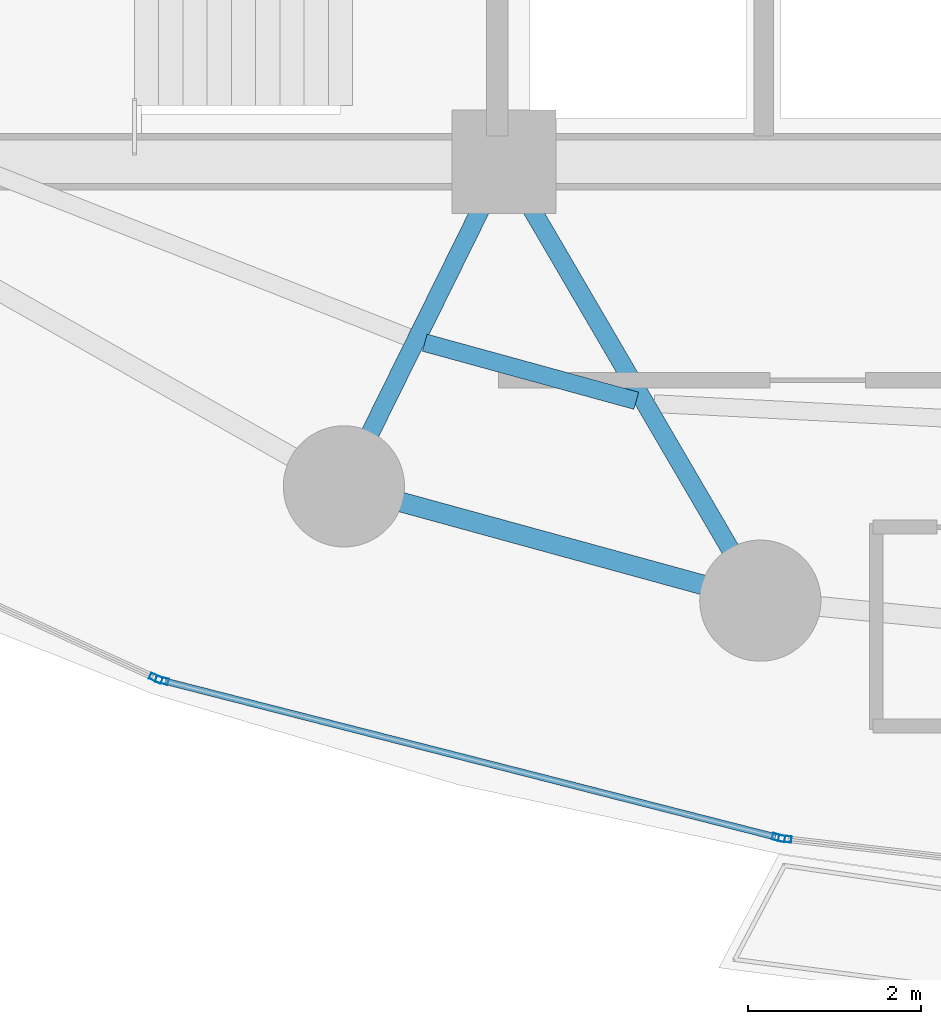
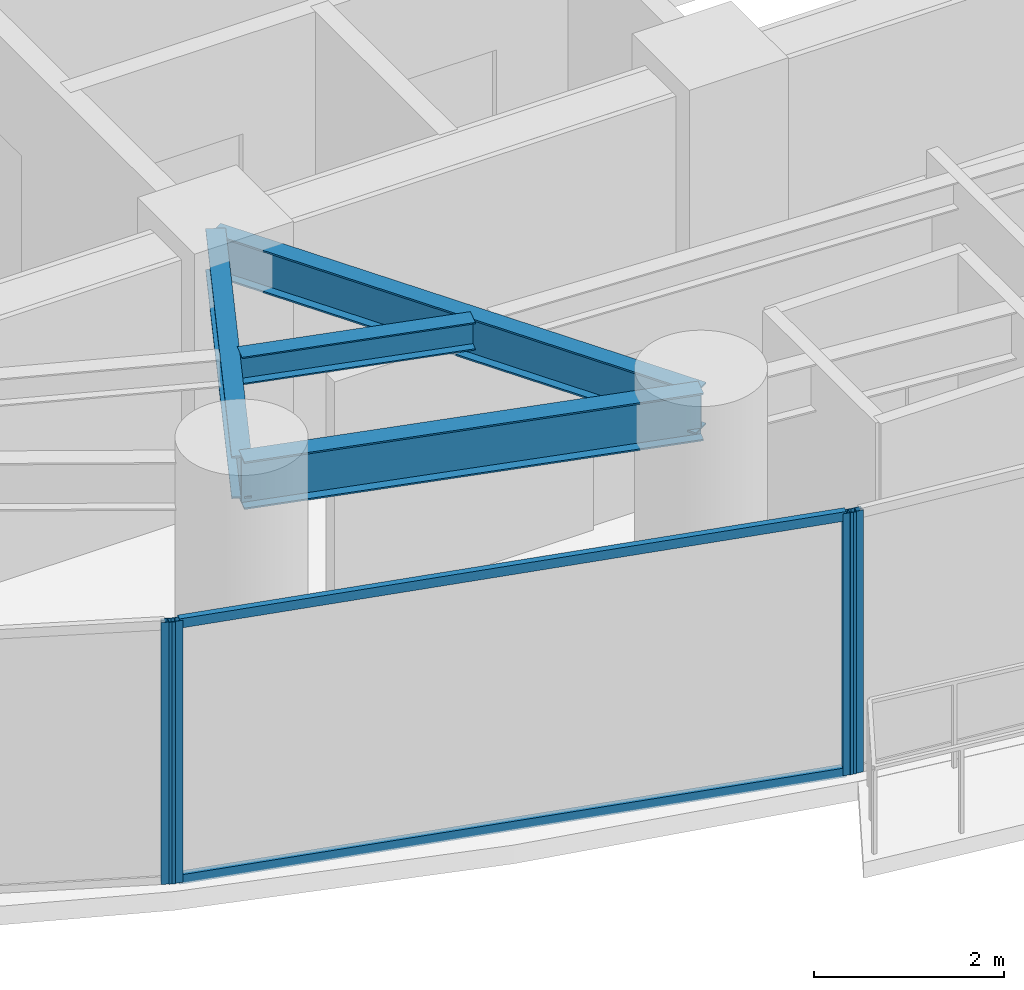
# One storey, part 5 of 32: 6 members, 4 beams, 3 elements without a shape of their own.
"""IFC4 building model written with IfcOpenShell, lengths in metres."""

from ifc_helpers import new_model, si_unit, direction, frame, origin, origin_2d, place, context, subcontext, project, spatial, hollow_rectangle, i_section, extrude, material, layer, layer_set, material_profile, profile_set, type_object, element, aggregate, save


model = new_model("IFC4")

# Units and contexts
model_context = context("Model", 3, precision=1e-05, world=origin(), true_north=direction((0.0, 1.0)))
body_context = subcontext(model_context, "Body", "Model", "MODEL_VIEW")
ifc_project = project(units=[si_unit("LENGTHUNIT", "METRE"), si_unit("AREAUNIT", "SQUARE_METRE"), si_unit("VOLUMEUNIT", "CUBIC_METRE"), si_unit("PLANEANGLEUNIT", "RADIAN"), si_unit("MASSUNIT", "GRAM", prefix="KILO")], contexts=[model_context])

# Site, building, storey
site_placement = place(None, origin())
site = spatial("IfcSite", under=ifc_project, at=site_placement, CompositionType="ELEMENT")
building_placement = place(site_placement, origin())
building = spatial("IfcBuilding", under=site, at=building_placement, Name="Kazevale Care Tower and Concert Hall", CompositionType="ELEMENT")
storey_placement = place(building_placement, frame((0.0, 0.0, 34.800048828125)))
storey = spatial("IfcBuildingStorey", under=building, at=storey_placement, Name="L08", CompositionType="ELEMENT", Elevation=34.800048828125)

# Curtain wall, member
ifc_material_1 = material(Name="Aluminium 6063-T6 and Low-E Glass", Category="aluminium")
ifc_layer = layer(ifc_material_1, 0.179931640625)
ifc_layer_set = layer_set([ifc_layer], Name="Aluminium 6063-T6 and Low-E Glass")
curtain_wall_type = type_object("IfcCurtainWallType", Name="Sheltered Concave Balcony Curtain Wall CW-5", PredefinedType="NOTDEFINED", material=ifc_layer_set)
curtain_wall_1_placement = place(storey_placement, origin())
curtain_wall_1 = element("IfcCurtainWall", 1, at=curtain_wall_1_placement, inside=storey, type_object=curtain_wall_type, Name="cw:L08:f07", PredefinedType="NOTDEFINED")
ifc_material_2 = material(Name="Aluminium 6063-T6", Category="aluminium")
ifc_material_profile_1 = material_profile(ifc_material_2, hollow_rectangle(XDim=0.074951171875, YDim=0.14990234375, WallThickness=0.00390625, at=origin_2d()), Name="ALU75x150x4")
ifc_profile_set_1 = profile_set([ifc_material_profile_1], Name="Aluminium 6063-T6")
member_type_1 = type_object("IfcMemberType", Name="CW-5 Mullion ALU75x150x4", PredefinedType="MULLION", material=ifc_profile_set_1)
member_1_placement = place(storey_placement, frame((33.245361328125, 15.77783203125, 0.0), z_axis=(0.0, 0.0, 1.0), x_axis=(-0.113704773808, -0.993514581883, 0.0)))
member_1 = element("IfcMember", 2, at=member_1_placement, type_object=member_type_1, Name="CW-5 mullion 2", PredefinedType="MULLION", context=body_context, shape_type="SweptSolid", body=[
    extrude(hollow_rectangle(XDim=0.074951171875, YDim=0.14990234375, WallThickness=0.00390625, at=origin_2d()), origin(), (0.0, 0.0, 1.0), 3.35986328125),
])
aggregate(curtain_wall_1, [member_1])

# Curtain wall, members
curtain_wall_2_placement = place(storey_placement, origin())
curtain_wall_2 = element("IfcCurtainWall", 3, at=curtain_wall_2_placement, inside=storey, type_object=curtain_wall_type, Name="cw:L08:f08", PredefinedType="NOTDEFINED")
member_2_placement = place(storey_placement, frame((33.171630859375, 15.791259765625, 0.0), z_axis=(0.0, 0.0, 1.0), x_axis=(-0.247221864936, -0.968958899798, 0.0)))
member_2 = element("IfcMember", 4, at=member_2_placement, type_object=member_type_1, Name="CW-5 mullion 1", PredefinedType="MULLION", context=body_context, shape_type="SweptSolid", body=[
    extrude(hollow_rectangle(XDim=0.074951171875, YDim=0.14990234375, WallThickness=0.00390625, at=origin_2d()), origin(), (0.0, 0.0, 1.0), 3.35986328125),
])
member_3_placement = place(storey_placement, frame((26.04833984375, 17.608642578125, 0.0), z_axis=(0.0, 0.0, 1.0), x_axis=(-0.247221864936, -0.968958899798, 0.0)))
member_3 = element("IfcMember", 5, at=member_3_placement, type_object=member_type_1, Name="CW-5 mullion 2", PredefinedType="MULLION", context=body_context, shape_type="SweptSolid", body=[
    extrude(hollow_rectangle(XDim=0.074951171875, YDim=0.14990234375, WallThickness=0.00390625, at=origin_2d()), origin(), (0.0, 0.0, 1.0), 3.35986328125),
])

# Curtain wall, member
curtain_wall_3_placement = place(storey_placement, origin())
curtain_wall_3 = element("IfcCurtainWall", 6, at=curtain_wall_3_placement, inside=storey, type_object=curtain_wall_type, Name="cw:L08:f09", PredefinedType="NOTDEFINED")
member_4_placement = place(storey_placement, frame((25.977783203125, 17.633544921875, 0.0), z_axis=(0.0, 0.0, 1.0), x_axis=(-0.415659767773, -0.909520179795, 0.0)))
member_4 = element("IfcMember", 7, at=member_4_placement, type_object=member_type_1, Name="CW-5 mullion 1", PredefinedType="MULLION", context=body_context, shape_type="SweptSolid", body=[
    extrude(hollow_rectangle(XDim=0.074951171875, YDim=0.14990234375, WallThickness=0.00390625, at=origin_2d()), origin(), (0.0, 0.0, 1.0), 3.35986328125),
])
aggregate(curtain_wall_3, [member_4])

# Member
ifc_material_profile_2 = material_profile(ifc_material_2, hollow_rectangle(XDim=0.074951171875, YDim=0.1201171875, WallThickness=0.00390625, at=origin_2d()), Name="ALU75x120x4")
ifc_profile_set_2 = profile_set([ifc_material_profile_2], Name="Aluminium 6063-T6")
member_type_2 = type_object("IfcMemberType", Name="CW-5 Transom ALU75x120x4", PredefinedType="USERDEFINED", material=ifc_profile_set_2)
member_5_placement = place(storey_placement, frame((33.13525390625, 15.800537109375, 0.037353515625), z_axis=(-0.968960816419, 0.24721435283, 0.0), x_axis=(-0.24721435283, -0.968960816419, 0.0)))
member_5 = element("IfcMember", 8, at=member_5_placement, type_object=member_type_2, Name="CW-5 transom 1.1", ObjectType="TRANSOM", PredefinedType="USERDEFINED", context=body_context, shape_type="SweptSolid", body=[
    extrude(hollow_rectangle(XDim=0.074951171875, YDim=0.1201171875, WallThickness=0.00390625, at=origin_2d()), origin(), (0.0, 0.0, 1.0), 7.2763671875),
])

member_6_placement = place(storey_placement, frame((33.13525390625, 15.800537109375, 3.322509765625), z_axis=(-0.968960816419, 0.24721435283, 0.0), x_axis=(-0.24721435283, -0.968960816419, 0.0)))
member_6 = element("IfcMember", 9, at=member_6_placement, type_object=member_type_2, Name="CW-5 transom 1.2", ObjectType="TRANSOM", PredefinedType="USERDEFINED", context=body_context, shape_type="SweptSolid", body=[
    extrude(hollow_rectangle(XDim=0.074951171875, YDim=0.1201171875, WallThickness=0.00390625, at=origin_2d()), origin(), (0.0, 0.0, 1.0), 7.2763671875),
])

aggregate(curtain_wall_2, [member_2, member_3, member_5, member_6])

# Beams
ifc_material_3 = material(Name="Steel ASTM A572 Gr 50", Category="steel")
ifc_material_profile_3 = material_profile(ifc_material_3, i_section(OverallWidth=0.2119140625, OverallDepth=0.5439453125, WebThickness=0.01318359375, FlangeThickness=0.021240234375, at=origin_2d()), Name="W530x123")
ifc_profile_set_3 = profile_set([ifc_material_profile_3], Name="Steel ASTM A572 Gr 50")
beam_type_1 = type_object("IfcBeamType", Name="Radial Floor Girder W530x123", PredefinedType="BEAM", material=ifc_profile_set_3)
beam_1_placement = place(storey_placement, frame((30.0, 23.60009765625, 3.087890625), z_axis=(-0.442443019162, -0.896796618412, 0.0), x_axis=(0.896796618412, -0.442443019162, 0.0)))
element("IfcBeam", 10, at=beam_1_placement, inside=storey, type_object=beam_type_1, Name="beam:L08:rad:11", PredefinedType="BEAM", context=body_context, shape_type="SweptSolid", body=[
    extrude(i_section(OverallWidth=0.2119140625, OverallDepth=0.5439453125, WebThickness=0.01318359375, FlangeThickness=0.021240234375, at=origin_2d()), origin(), (0.0, 0.0, 1.0), 4.181640625),
])
beam_2_placement = place(storey_placement, frame((30.0, 23.60009765625, 3.087890625), z_axis=(0.50417868077, -0.86359936189, 0.0), x_axis=(0.86359936189, 0.50417868077, 0.0)))
element("IfcBeam", 11, at=beam_2_placement, inside=storey, type_object=beam_type_1, Name="beam:L08:rad:12", PredefinedType="BEAM", context=body_context, shape_type="SweptSolid", body=[
    extrude(i_section(OverallWidth=0.2119140625, OverallDepth=0.5439453125, WebThickness=0.01318359375, FlangeThickness=0.021240234375, at=origin_2d()), origin(), (0.0, 0.0, 1.0), 5.870849609375),
])
ifc_material_profile_4 = material_profile(ifc_material_3, i_section(OverallWidth=0.22900390625, OverallDepth=0.612060546875, WebThickness=0.011962890625, FlangeThickness=0.01953125, at=origin_2d()), Name="W610x125")
ifc_profile_set_4 = profile_set([ifc_material_profile_4], Name="Steel ASTM A572 Gr 50")
beam_type_2 = type_object("IfcBeamType", Name="Ring Spandrel Beam W610x125", PredefinedType="SPANDREL", material=ifc_profile_set_4)
beam_3_placement = place(storey_placement, frame((28.14990234375, 19.85009765625, 3.053955078125), z_axis=(0.964343540473, -0.264653615031, 0.0), x_axis=(0.264653615031, 0.964343540473, 0.0)))
element("IfcBeam", 12, at=beam_3_placement, inside=storey, type_object=beam_type_2, Name="beam:L08:ring:11", PredefinedType="SPANDREL", context=body_context, shape_type="SweptSolid", body=[
    extrude(i_section(OverallWidth=0.22900390625, OverallDepth=0.612060546875, WebThickness=0.011962890625, FlangeThickness=0.01953125, at=origin_2d()), origin(), (0.0, 0.0, 1.0), 4.98779296875),
])
ifc_material_profile_5 = material_profile(ifc_material_3, i_section(OverallWidth=0.205078125, OverallDepth=0.35400390625, WebThickness=0.009521484375, FlangeThickness=0.016845703125, at=origin_2d()), Name="W360x79")
ifc_profile_set_5 = profile_set([ifc_material_profile_5], Name="Steel ASTM A572 Gr 50")
beam_type_3 = type_object("IfcBeamType", Name="Secondary Floor Joist W360x79", PredefinedType="JOIST", material=ifc_profile_set_5)
beam_4_placement = place(storey_placement, frame((29.083984375, 21.510009765625, 3.182861328125), z_axis=(0.964302027389, -0.264804833743, 0.0), x_axis=(0.264804833743, 0.964302027389, 0.0)))
element("IfcBeam", 13, at=beam_4_placement, inside=storey, type_object=beam_type_3, Name="beam:L08:joist:11", PredefinedType="JOIST", context=body_context, shape_type="SweptSolid", body=[
    extrude(i_section(OverallWidth=0.205078125, OverallDepth=0.35400390625, WebThickness=0.009521484375, FlangeThickness=0.016845703125, at=origin_2d()), origin(), (0.0, 0.0, 1.0), 2.533447265625),
])

save(model, "model.ifc")
